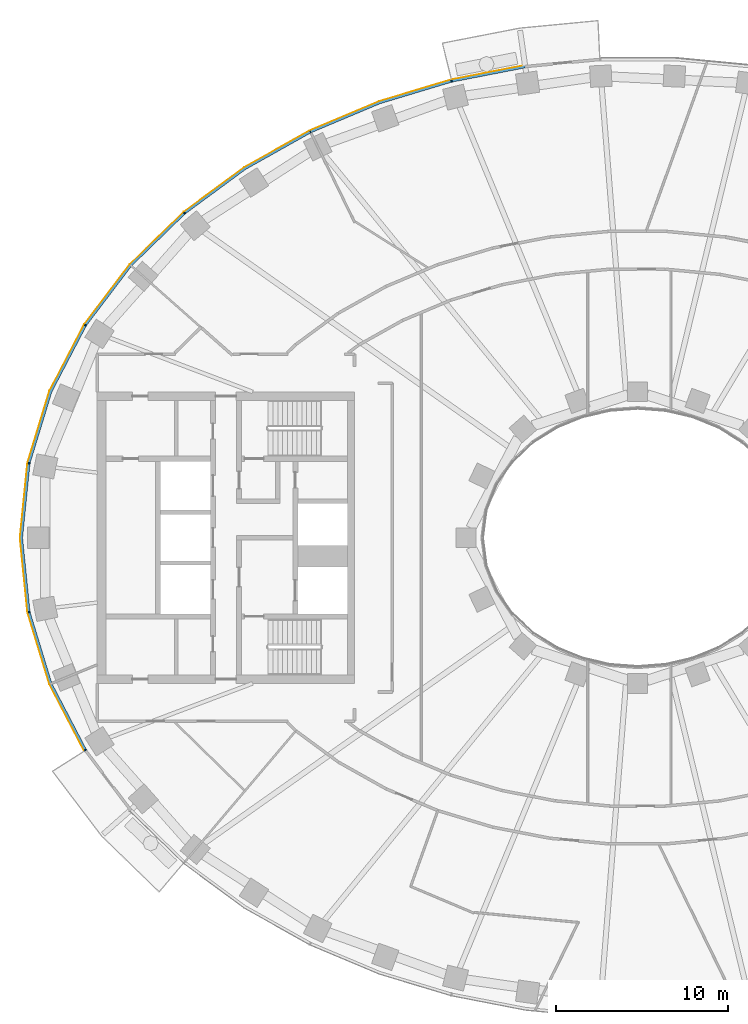
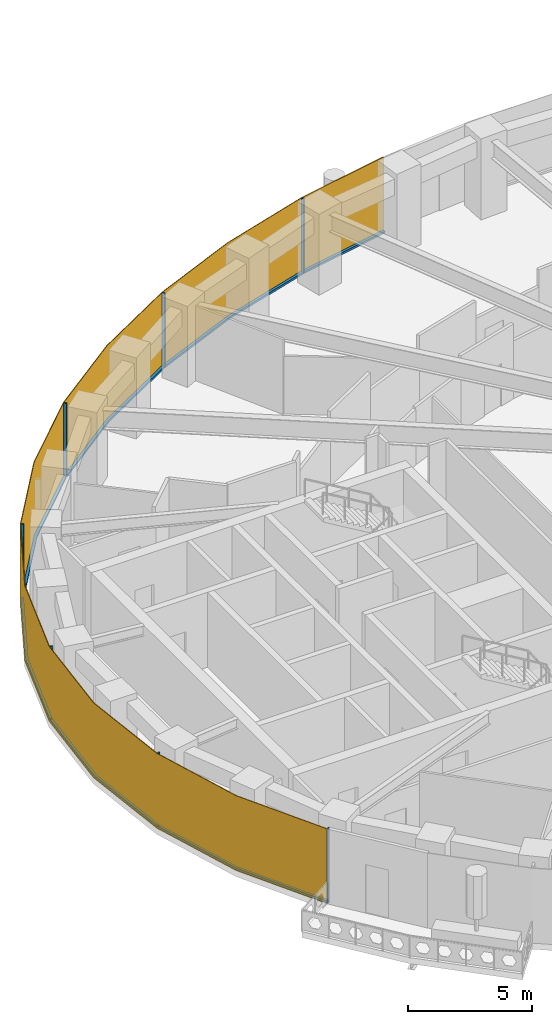
# One storey, part 12 of 17: 14 members, 1 curtain wall.
"""IFC4 building model written with IfcOpenShell, lengths in metres."""

from ifc_helpers import new_model, si_unit, direction, frame, origin, origin_2d, place, context, subcontext, project, spatial, polyline, rectangle, outline, extrude, material, layer, layer_set, material_profile, profile_set, type_object, element, aggregate, save


model = new_model("IFC4")

# Units and contexts
model_context = context("Model", 3, precision=1e-05, world=origin(), true_north=direction((0.0, 1.0)))
body_context = subcontext(model_context, "Body", "Model", "MODEL_VIEW")
ifc_project = project(units=[si_unit("LENGTHUNIT", "METRE"), si_unit("AREAUNIT", "SQUARE_METRE"), si_unit("VOLUMEUNIT", "CUBIC_METRE"), si_unit("PLANEANGLEUNIT", "RADIAN"), si_unit("MASSUNIT", "GRAM", prefix="KILO")], contexts=[model_context])

# Member
ifc_material_1 = material(Name="Aluminium 6063-T6 black anodised", Category="aluminium")
ifc_material_profile = material_profile(ifc_material_1, rectangle(XDim=0.1201171875, YDim=0.06005859375, at=origin_2d()), Name="120x60")
ifc_profile_set = profile_set([ifc_material_profile], Name="Aluminium 6063-T6 black anodised")
member_type_1 = type_object("IfcMemberType", Name="ENV-MULLION-A-120", PredefinedType="MULLION", material=ifc_profile_set)
site_placement = place(None, origin())
building_placement = place(site_placement, origin())
storey_placement = place(building_placement, frame((0.0, 0.0, 120.0)))
member_1_placement = place(storey_placement, frame((-10.84326171875, 26.60498046875, 0.0), z_axis=(0.0, 0.0, 1.0), x_axis=(0.239799081534, -0.970822538106, 0.0)))
member_1 = element("IfcMember", 1, at=member_1_placement, type_object=member_type_1, Name="Mullion A radial 15", PredefinedType="MULLION", context=body_context, shape_type="SweptSolid", body=[
    extrude(rectangle(XDim=0.1201171875, YDim=0.06005859375, at=origin_2d()), origin(), (0.0, 0.0, 1.0), 3.699951171875),
])

member_2_placement = place(storey_placement, frame((-19.06787109375, 23.6474609375, 0.0), z_axis=(0.0, 0.0, 1.0), x_axis=(0.439237769837, -0.898370848563, 0.0)))
member_2 = element("IfcMember", 2, at=member_2_placement, type_object=member_type_1, Name="Mullion A radial 17", PredefinedType="MULLION", context=body_context, shape_type="SweptSolid", body=[
    extrude(rectangle(XDim=0.1201171875, YDim=0.06005859375, at=origin_2d()), origin(), (0.0, 0.0, 1.0), 3.699951171875),
])

member_3_placement = place(storey_placement, frame((-26.403564453125, 18.9130859375, 0.0), z_axis=(0.0, 0.0, 1.0), x_axis=(0.646451313783, -0.762955240435, 0.0)))
member_3 = element("IfcMember", 3, at=member_3_placement, type_object=member_type_1, Name="Mullion A radial 19", PredefinedType="MULLION", context=body_context, shape_type="SweptSolid", body=[
    extrude(rectangle(XDim=0.1201171875, YDim=0.06005859375, at=origin_2d()), origin(), (0.0, 0.0, 1.0), 3.699951171875),
])

member_4_placement = place(storey_placement, frame((-32.177490234375, 12.385498046875, 0.0), z_axis=(0.0, 0.0, 1.0), x_axis=(0.844829880882, -0.53503501976, 0.0)))
member_4 = element("IfcMember", 4, at=member_4_placement, type_object=member_type_1, Name="Mullion A radial 21", PredefinedType="MULLION", context=body_context, shape_type="SweptSolid", body=[
    extrude(rectangle(XDim=0.1201171875, YDim=0.06005859375, at=origin_2d()), origin(), (0.0, 0.0, 1.0), 3.699951171875),
])

member_5_placement = place(storey_placement, frame((-35.470947265625, 4.340576171875, 0.0), z_axis=(0.0, 0.0, 1.0), x_axis=(0.980379083141, -0.19712141776, 0.0)))
member_5 = element("IfcMember", 5, at=member_5_placement, type_object=member_type_1, Name="Mullion A radial 23", PredefinedType="MULLION", context=body_context, shape_type="SweptSolid", body=[
    extrude(rectangle(XDim=0.1201171875, YDim=0.06005859375, at=origin_2d()), origin(), (0.0, 0.0, 1.0), 3.699951171875),
])

member_6_placement = place(storey_placement, frame((-35.470947265625, -4.340576171875, 0.0), z_axis=(0.0, 0.0, 1.0), x_axis=(0.980379083141, 0.19712141776, 0.0)))
member_6 = element("IfcMember", 6, at=member_6_placement, type_object=member_type_1, Name="Mullion A radial 25", PredefinedType="MULLION", context=body_context, shape_type="SweptSolid", body=[
    extrude(rectangle(XDim=0.1201171875, YDim=0.06005859375, at=origin_2d()), origin(), (0.0, 0.0, 1.0), 3.699951171875),
])

member_7_placement = place(storey_placement, frame((-32.177490234375, -12.385498046875, 0.0), z_axis=(0.0, 0.0, 1.0), x_axis=(0.844829880882, 0.53503501976, 0.0)))
member_7 = element("IfcMember", 7, at=member_7_placement, type_object=member_type_1, Name="Mullion A radial 27", PredefinedType="MULLION", context=body_context, shape_type="SweptSolid", body=[
    extrude(rectangle(XDim=0.1201171875, YDim=0.06005859375, at=origin_2d()), origin(), (0.0, 0.0, 1.0), 3.699951171875),
])

ifc_material_2 = material(Name="Aluminium 6063-T6 black anodised", Category="aluminium")
member_type_2 = type_object("IfcMemberType", Name="ENV-TRANSOM-A", PredefinedType="USERDEFINED", material=ifc_material_2)
member_8_placement = place(storey_placement, origin())
member_8 = element("IfcMember", 8, at=member_8_placement, type_object=member_type_2, Name="Transom A radial 14-15", ObjectType="TRANSOM", PredefinedType="USERDEFINED", context=body_context, shape_type="SweptSolid", body=[
    extrude(outline(polyline([(-6.57470703125, 27.49560546875), (-10.830078125, 26.66845703125), (-10.80126953125, 26.552001953125), (-6.5576171875, 27.376708984375), (-6.57470703125, 27.49560546875)])), origin(), (0.0, 0.0, 1.0), 0.10009765625),
])

member_9_placement = place(storey_placement, origin())
member_9 = element("IfcMember", 9, at=member_9_placement, type_object=member_type_2, Name="Transom A radial 15-17", ObjectType="TRANSOM", PredefinedType="USERDEFINED", context=body_context, shape_type="SweptSolid", body=[
    extrude(outline(polyline([(-10.884521484375, 26.655029296875), (-15.054443359375, 25.400146484375), (-19.068359375, 23.71240234375), (-19.015380859375, 23.604248046875), (-15.013916015625, 25.287109375), (-10.855712890625, 26.53857421875), (-10.884521484375, 26.655029296875)])), origin(), (0.0, 0.0, 1.0), 0.10009765625),
])

member_10_placement = place(storey_placement, origin())
member_10 = element("IfcMember", 10, at=member_10_placement, type_object=member_type_2, Name="Transom A radial 17-19", ObjectType="TRANSOM", PredefinedType="USERDEFINED", context=body_context, shape_type="SweptSolid", body=[
    extrude(outline(polyline([(-19.11865234375, 23.687744140625), (-22.9150390625, 21.556884765625), (-26.419921875, 18.975341796875), (-26.342041015625, 18.883544921875), (-22.85009765625, 21.455810546875), (-19.06591796875, 23.57958984375), (-19.11865234375, 23.687744140625)])), origin(), (0.0, 0.0, 1.0), 0.10009765625),
])

member_11_placement = place(storey_placement, origin())
member_11 = element("IfcMember", 11, at=member_11_placement, type_object=member_type_2, Name="Transom A radial 19-21", ObjectType="TRANSOM", PredefinedType="USERDEFINED", context=body_context, shape_type="SweptSolid", body=[
    extrude(outline(polyline([(-26.46240234375, 18.939208984375), (-29.58349609375, 15.906982421875), (-32.211181640625, 12.43994140625), (-32.109375, 12.37548828125), (-29.493408203125, 15.8271484375), (-26.384765625, 18.847412109375), (-26.46240234375, 18.939208984375)])), origin(), (0.0, 0.0, 1.0), 0.10009765625),
])

member_12_placement = place(storey_placement, origin())
member_12 = element("IfcMember", 12, at=member_12_placement, type_object=member_type_2, Name="Transom A radial 21-23", ObjectType="TRANSOM", PredefinedType="USERDEFINED", context=body_context, shape_type="SweptSolid", body=[
    extrude(outline(polyline([(-32.240966796875, 12.392578125), (-34.251220703125, 8.53662109375), (-35.521484375, 4.379150390625), (-35.4033203125, 4.355224609375), (-34.139892578125, 8.490966796875), (-32.139404296875, 12.328369140625), (-32.240966796875, 12.392578125)])), origin(), (0.0, 0.0, 1.0), 0.10009765625),
])

member_13_placement = place(storey_placement, origin())
member_13 = element("IfcMember", 13, at=member_13_placement, type_object=member_type_2, Name="Transom A radial 23-25", ObjectType="TRANSOM", PredefinedType="USERDEFINED", context=body_context, shape_type="SweptSolid", body=[
    extrude(outline(polyline([(-35.532470703125, 4.324462890625), (-35.9677734375, 0.0), (-35.532470703125, -4.324462890625), (-35.414306640625, -4.30078125), (-35.84716796875, 0.0), (-35.414306640625, 4.30078125), (-35.532470703125, 4.324462890625)])), origin(), (0.0, 0.0, 1.0), 0.10009765625),
])

member_14_placement = place(storey_placement, origin())
member_14 = element("IfcMember", 14, at=member_14_placement, type_object=member_type_2, Name="Transom A radial 25-27", ObjectType="TRANSOM", PredefinedType="USERDEFINED", context=body_context, shape_type="SweptSolid", body=[
    extrude(outline(polyline([(-35.521484375, -4.379150390625), (-34.251220703125, -8.53662109375), (-32.240966796875, -12.392578125), (-32.139404296875, -12.328369140625), (-34.139892578125, -8.490966796875), (-35.4033203125, -4.355224609375), (-35.521484375, -4.379150390625)])), origin(), (0.0, 0.0, 1.0), 0.10009765625),
])

# Site, building, storey
site = spatial("IfcSite", under=ifc_project, at=site_placement, CompositionType="ELEMENT")
building = spatial("IfcBuilding", under=site, at=building_placement, Name="Noorbagh Ring Tower", CompositionType="ELEMENT")
storey = spatial("IfcBuildingStorey", under=building, at=storey_placement, Name="L27", CompositionType="ELEMENT", Elevation=120.0)

# Curtain wall
ifc_material_3 = material(Name="Glass dark tinted laminated", Category="glass")
ifc_layer = layer(ifc_material_3, 0.031982421875)
ifc_layer_set = layer_set([ifc_layer], Name="Glass dark tinted laminated")
curtain_wall_type = type_object("IfcCurtainWallType", Name="ENV-CW-A", PredefinedType="NOTDEFINED", material=ifc_layer_set)
curtain_wall_placement = place(storey_placement, origin())
curtain_wall = element("IfcCurtainWall", 15, at=curtain_wall_placement, inside=storey, type_object=curtain_wall_type, Name="Curtain wall A R14", PredefinedType="NOTDEFINED", context=body_context, shape_type="SweptSolid", body=[
    extrude(outline(polyline([(-6.579345703125, 27.52734375), (-10.865234375, 26.6943359375), (-15.065185546875, 25.430419921875), (-19.108154296875, 23.730224609375), (-22.9326171875, 21.583740234375), (-26.463134765625, 18.9833984375), (-29.607666015625, 15.927978515625), (-32.255126953125, 12.434814453125), (-34.281005859375, 8.548828125), (-35.561279296875, 4.358642578125), (-36.0, 0.0), (-35.561279296875, -4.358642578125), (-34.281005859375, -8.548828125), (-32.264404296875, -12.4169921875), (-32.2373046875, -12.39990234375), (-34.251220703125, -8.53662109375), (-35.529541015625, -4.352294921875), (-35.9677734375, 0.0), (-35.529541015625, 4.352294921875), (-34.251220703125, 8.53662109375), (-32.22802734375, 12.41748046875), (-29.58349609375, 15.906982421875), (-26.4423828125, 18.958740234375), (-22.9150390625, 21.556884765625), (-19.093994140625, 23.701416015625), (-15.054443359375, 25.400146484375), (-10.857666015625, 26.6630859375), (-6.57470703125, 27.49560546875), (-6.579345703125, 27.52734375)])), origin(), (0.0, 0.0, 1.0), 3.699951171875),
])

aggregate(curtain_wall, [member_1, member_2, member_3, member_4, member_5, member_6, member_7, member_8, member_9, member_10, member_11, member_12, member_13, member_14])

save(model, "model.ifc")
